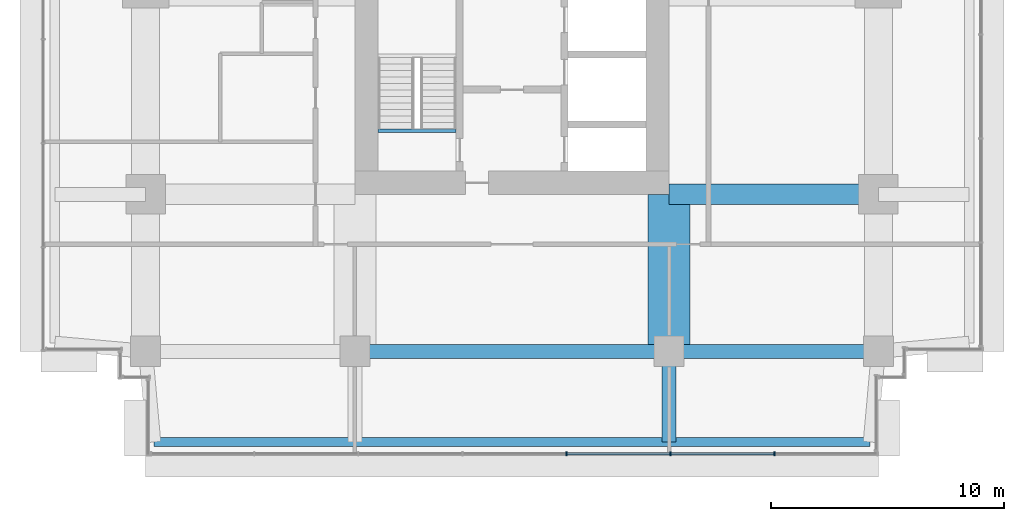
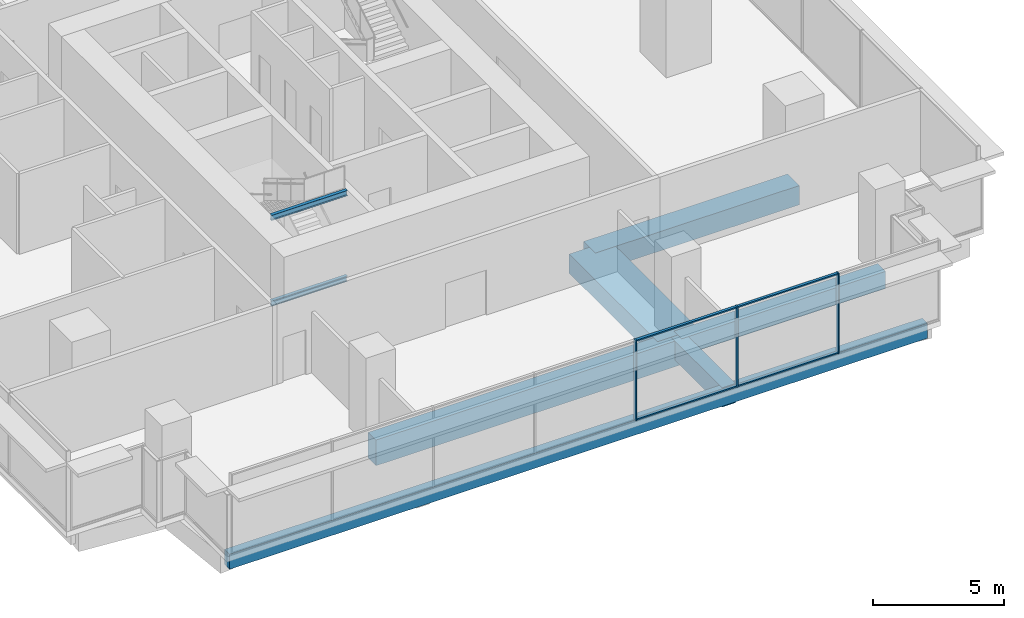
# One storey, part 3 of 13: 8 beams, 7 members, 1 element without a shape of its own.
"""IFC4 building model written with IfcOpenShell, lengths in metres."""

from ifc_helpers import new_model, si_unit, direction, frame, origin, origin_2d, place, context, subcontext, project, spatial, rectangle, i_section, extrude, material, layer, layer_set, material_profile, profile_set, type_object, element, aggregate, save


model = new_model("IFC4")

# Units and contexts
model_context = context("Model", 3, precision=1e-05, world=origin(), true_north=direction((0.0, 1.0)))
body_context = subcontext(model_context, "Body", "Model", "MODEL_VIEW")
ifc_project = project(units=[si_unit("LENGTHUNIT", "METRE"), si_unit("AREAUNIT", "SQUARE_METRE"), si_unit("VOLUMEUNIT", "CUBIC_METRE"), si_unit("PLANEANGLEUNIT", "RADIAN"), si_unit("MASSUNIT", "GRAM", prefix="KILO")], contexts=[model_context])

# Site, building, storey
site_placement = place(None, origin())
site = spatial("IfcSite", under=ifc_project, at=site_placement, CompositionType="ELEMENT")
building_placement = place(site_placement, origin())
building = spatial("IfcBuilding", under=site, at=building_placement, Name="Namib Vertical Campus", CompositionType="ELEMENT")
storey_placement = place(building_placement, frame((0.0, 0.0, 293.0)))
storey = spatial("IfcBuildingStorey", under=building, at=storey_placement, Name="L69", CompositionType="ELEMENT", Elevation=293.0)

# Beam
ifc_material_1 = material(Name="Concrete C40/50", Category="concrete")
ifc_material_profile_1 = material_profile(ifc_material_1, rectangle(XDim=0.60009765625, YDim=0.89990234375, at=origin_2d()))
ifc_profile_set_1 = profile_set([ifc_material_profile_1], Name="Concrete C40/50")
beam_type_1 = type_object("IfcBeamType", Name="Cantilever girder RC 600x900", PredefinedType="BEAM", material=ifc_profile_set_1)
beam_1_placement = place(storey_placement, frame((27.0, 4.5, -0.699951171875), z_axis=(0.0, -1.0, 0.0), x_axis=(1.0, 0.0, 0.0)))
element("IfcBeam", 1, at=beam_1_placement, inside=storey, type_object=beam_type_1, Name="Beam B3 L69", PredefinedType="BEAM", context=body_context, shape_type="SweptSolid", body=[
    extrude(rectangle(XDim=0.60009765625, YDim=0.89990234375, at=origin_2d()), origin(), (0.0, 0.0, 1.0), 3.89990234375),
])

# Curtain wall, members
ifc_material_2 = material(Name="Black aluminium curtain wall", Category="aluminium")
ifc_layer = layer(ifc_material_2, 0.199951171875)
ifc_layer_set = layer_set([ifc_layer], Name="Sky lounge curtain wall CW-SL")
curtain_wall_type = type_object("IfcCurtainWallType", Name="Sky lounge curtain wall CW-SL", PredefinedType="USERDEFINED", material=ifc_layer_set)
curtain_wall_placement = place(storey_placement, origin())
curtain_wall = element("IfcCurtainWall", 2, at=curtain_wall_placement, inside=storey, type_object=curtain_wall_type, Name="Curtain wall CW-SL L69 F01-1", ObjectType="CURTAIN WALL", PredefinedType="USERDEFINED")
ifc_material_3 = material(Name="Black anodised aluminium", Category="aluminium")
ifc_material_profile_2 = material_profile(ifc_material_3, rectangle(XDim=0.06005859375, YDim=0.159912109375, at=origin_2d()))
ifc_profile_set_2 = profile_set([ifc_material_profile_2], Name="Black anodised aluminium")
member_type_1 = type_object("IfcMemberType", Name="Curtain wall mullion 60x160", PredefinedType="MULLION", material=ifc_profile_set_2)
member_1_placement = place(storey_placement, frame((22.585693359375, 0.10009765625, 0.0), z_axis=(0.0, 0.0, 1.0), x_axis=(1.0, 0.0, 0.0)))
member_1 = element("IfcMember", 3, at=member_1_placement, type_object=member_type_1, Name="CW-SL mullion 5", PredefinedType="MULLION", context=body_context, shape_type="SweptSolid", body=[
    extrude(rectangle(XDim=0.06005859375, YDim=0.159912109375, at=origin_2d()), origin(), (0.0, 0.0, 1.0), 3.75),
])
member_2_placement = place(storey_placement, frame((27.05712890625, 0.10009765625, 0.0), z_axis=(0.0, 0.0, 1.0), x_axis=(1.0, 0.0, 0.0)))
member_2 = element("IfcMember", 4, at=member_2_placement, type_object=member_type_1, Name="CW-SL mullion 6", PredefinedType="MULLION", context=body_context, shape_type="SweptSolid", body=[
    extrude(rectangle(XDim=0.06005859375, YDim=0.159912109375, at=origin_2d()), origin(), (0.0, 0.0, 1.0), 3.75),
])
member_3_placement = place(storey_placement, frame((31.528564453125, 0.10009765625, 0.0), z_axis=(0.0, 0.0, 1.0), x_axis=(1.0, 0.0, 0.0)))
member_3 = element("IfcMember", 5, at=member_3_placement, type_object=member_type_1, Name="CW-SL mullion 7", PredefinedType="MULLION", context=body_context, shape_type="SweptSolid", body=[
    extrude(rectangle(XDim=0.06005859375, YDim=0.159912109375, at=origin_2d()), origin(), (0.0, 0.0, 1.0), 3.75),
])
ifc_material_4 = material(Name="Black anodised aluminium", Category="aluminium")
ifc_material_profile_3 = material_profile(ifc_material_4, rectangle(XDim=0.06005859375, YDim=0.1201171875, at=origin_2d()))
ifc_profile_set_3 = profile_set([ifc_material_profile_3], Name="Black anodised aluminium")
member_type_2 = type_object("IfcMemberType", Name="Curtain wall transom 60x120", PredefinedType="USERDEFINED", material=ifc_profile_set_3)
member_4_placement = place(storey_placement, frame((22.61572265625, 0.10009765625, 0.030029296875), z_axis=(1.0, 0.0, 0.0), x_axis=(0.0, 0.0, 1.0)))
member_4 = element("IfcMember", 6, at=member_4_placement, type_object=member_type_2, Name="CW-SL transom 5.1", ObjectType="TRANSOM", PredefinedType="USERDEFINED", context=body_context, shape_type="SweptSolid", body=[
    extrude(rectangle(XDim=0.06005859375, YDim=0.1201171875, at=origin_2d()), origin(), (0.0, 0.0, 1.0), 4.411376953125),
])
member_5_placement = place(storey_placement, frame((22.61572265625, 0.10009765625, 3.719970703125), z_axis=(1.0, 0.0, 0.0), x_axis=(0.0, 0.0, 1.0)))
member_5 = element("IfcMember", 7, at=member_5_placement, type_object=member_type_2, Name="CW-SL transom 5.2", ObjectType="TRANSOM", PredefinedType="USERDEFINED", context=body_context, shape_type="SweptSolid", body=[
    extrude(rectangle(XDim=0.06005859375, YDim=0.1201171875, at=origin_2d()), origin(), (0.0, 0.0, 1.0), 4.411376953125),
])
member_6_placement = place(storey_placement, frame((27.087158203125, 0.10009765625, 0.030029296875), z_axis=(1.0, 0.0, 0.0), x_axis=(0.0, 0.0, 1.0)))
member_6 = element("IfcMember", 8, at=member_6_placement, type_object=member_type_2, Name="CW-SL transom 6.1", ObjectType="TRANSOM", PredefinedType="USERDEFINED", context=body_context, shape_type="SweptSolid", body=[
    extrude(rectangle(XDim=0.06005859375, YDim=0.1201171875, at=origin_2d()), origin(), (0.0, 0.0, 1.0), 4.411376953125),
])
member_7_placement = place(storey_placement, frame((27.087158203125, 0.10009765625, 3.719970703125), z_axis=(1.0, 0.0, 0.0), x_axis=(0.0, 0.0, 1.0)))
member_7 = element("IfcMember", 9, at=member_7_placement, type_object=member_type_2, Name="CW-SL transom 6.2", ObjectType="TRANSOM", PredefinedType="USERDEFINED", context=body_context, shape_type="SweptSolid", body=[
    extrude(rectangle(XDim=0.06005859375, YDim=0.1201171875, at=origin_2d()), origin(), (0.0, 0.0, 1.0), 4.411376953125),
])
aggregate(curtain_wall, [member_1, member_2, member_3, member_4, member_5, member_6, member_7])

# Beams
ifc_material_5 = material(Name="Concrete C40/50", Category="concrete")
ifc_material_profile_4 = material_profile(ifc_material_5, rectangle(XDim=0.39990234375, YDim=0.699951171875, at=origin_2d()))
ifc_profile_set_4 = profile_set([ifc_material_profile_4], Name="Concrete C40/50")
beam_type_2 = type_object("IfcBeamType", Name="Edge beam RC 400x700", PredefinedType="SPANDREL", material=ifc_profile_set_4)
beam_2_placement = place(storey_placement, frame((4.85009765625, 0.60009765625, -0.60009765625), z_axis=(1.0, 0.0, 0.0), x_axis=(0.0, 1.0, 0.0)))
element("IfcBeam", 10, at=beam_2_placement, inside=storey, type_object=beam_type_2, Name="Beam B4 L69", PredefinedType="SPANDREL", context=body_context, shape_type="SweptSolid", body=[
    extrude(rectangle(XDim=0.39990234375, YDim=0.699951171875, at=origin_2d()), origin(), (0.0, 0.0, 1.0), 30.7998046875),
])
ifc_material_6 = material(Name="Concrete C40/50", Category="concrete")
ifc_material_profile_5 = material_profile(ifc_material_6, rectangle(XDim=0.89990234375, YDim=0.89990234375, at=origin_2d()))
ifc_profile_set_5 = profile_set([ifc_material_profile_5], Name="Concrete C40/50")
beam_type_3 = type_object("IfcBeamType", Name="Face girder RC 900x900", PredefinedType="BEAM", material=ifc_profile_set_5)
beam_3_placement = place(storey_placement, frame((36.0, 11.25, -0.699951171875), z_axis=(-1.0, 0.0, 0.0), x_axis=(0.0, -1.0, 0.0)))
element("IfcBeam", 11, at=beam_3_placement, inside=storey, type_object=beam_type_3, Name="Beam B10 L69", PredefinedType="BEAM", context=body_context, shape_type="SweptSolid", body=[
    extrude(rectangle(XDim=0.89990234375, YDim=0.89990234375, at=origin_2d()), origin(), (0.0, 0.0, 1.0), 9.0),
])
ifc_material_7 = material(Name="Steel S355JR", Category="steel")
ifc_material_profile_6 = material_profile(ifc_material_7, i_section(OverallWidth=0.14599609375, OverallDepth=0.25146484375, WebThickness=0.006103515625, FlangeThickness=0.008544921875, FilletRadius=0.007568359375, at=origin_2d()))
ifc_profile_set_6 = profile_set([ifc_material_profile_6], Name="Steel S355JR")
beam_type_4 = type_object("IfcBeamType", Name="Landing trimmer UB 254x146x31", PredefinedType="BEAM", material=ifc_profile_set_6)
for number, where, z_axis, x_axis, name in (
    (12, (14.5, 13.97705078125, -0.125732421875), (1.0, 0.0, 0.0), (0.0, 1.0, 0.0), "Landing trimmer LT1 A-S1 L69 1"),
    (13, (14.5, 13.97705078125, 3.874267578125), (1.0, 0.0, 0.0), (0.0, 1.0, 0.0), "Landing trimmer LT1 A-S1 L69 3"),
):
    element("IfcBeam", number, at=place(storey_placement, frame(where, z_axis=z_axis, x_axis=x_axis)), inside=storey, type_object=beam_type_4, Name=name, PredefinedType="BEAM", context=body_context, shape_type="SweptSolid", body=[
        extrude(i_section(OverallWidth=0.14599609375, OverallDepth=0.25146484375, WebThickness=0.006103515625, FlangeThickness=0.008544921875, FilletRadius=0.007568359375, at=origin_2d()), origin(), (0.0, 0.0, 1.0), 3.35009765625),
    ])
ifc_material_8 = material(Name="Concrete C40/50", Category="concrete")
ifc_material_profile_7 = material_profile(ifc_material_8, rectangle(XDim=0.60009765625, YDim=1.199951171875, at=origin_2d()))
ifc_profile_set_7 = profile_set([ifc_material_profile_7], Name="Concrete C40/50")
beam_type_5 = type_object("IfcBeamType", Name="Long-span ring beam RC 600x1200", PredefinedType="BEAM", material=ifc_profile_set_7)
beam_4_placement = place(storey_placement, frame((13.5, 4.5, -0.85009765625), z_axis=(1.0, 0.0, 0.0), x_axis=(0.0, 1.0, 0.0)))
element("IfcBeam", 14, at=beam_4_placement, inside=storey, type_object=beam_type_5, Name="Beam B9 L69", PredefinedType="BEAM", context=body_context, shape_type="SweptSolid", body=[
    extrude(rectangle(XDim=0.60009765625, YDim=1.199951171875, at=origin_2d()), origin(), (0.0, 0.0, 1.0), 13.5),
])
ifc_material_9 = material(Name="Concrete C40/50", Category="concrete")
ifc_material_profile_8 = material_profile(ifc_material_9, rectangle(XDim=1.800048828125, YDim=0.89990234375, at=origin_2d()))
ifc_profile_set_8 = profile_set([ifc_material_profile_8], Name="Concrete C40/50")
beam_type_6 = type_object("IfcBeamType", Name="Outrigger line girder RC 1800x900", PredefinedType="BEAM", material=ifc_profile_set_8)
beam_5_placement = place(storey_placement, frame((27.0, 4.5, -0.699951171875), z_axis=(0.0, 1.0, 0.0), x_axis=(-1.0, 0.0, 0.0)))
element("IfcBeam", 15, at=beam_5_placement, inside=storey, type_object=beam_type_6, Name="Beam B12 L69", PredefinedType="BEAM", context=body_context, shape_type="SweptSolid", body=[
    extrude(rectangle(XDim=1.800048828125, YDim=0.89990234375, at=origin_2d()), origin(), (0.0, 0.0, 1.0), 6.75),
])
ifc_material_10 = material(Name="Concrete C40/50", Category="concrete")
ifc_material_profile_9 = material_profile(ifc_material_10, rectangle(XDim=0.60009765625, YDim=0.800048828125, at=origin_2d()))
ifc_profile_set_9 = profile_set([ifc_material_profile_9], Name="Concrete C40/50")
beam_type_7 = type_object("IfcBeamType", Name="Ring beam RC 600x800", PredefinedType="BEAM", material=ifc_profile_set_9)
beam_6_placement = place(storey_placement, frame((27.0, 4.5, -0.64990234375), z_axis=(1.0, 0.0, 0.0), x_axis=(0.0, 1.0, 0.0)))
element("IfcBeam", 16, at=beam_6_placement, inside=storey, type_object=beam_type_7, Name="Beam B1 L69", PredefinedType="BEAM", context=body_context, shape_type="SweptSolid", body=[
    extrude(rectangle(XDim=0.60009765625, YDim=0.800048828125, at=origin_2d()), origin(), (0.0, 0.0, 1.0), 9.0),
])

save(model, "model.ifc")
